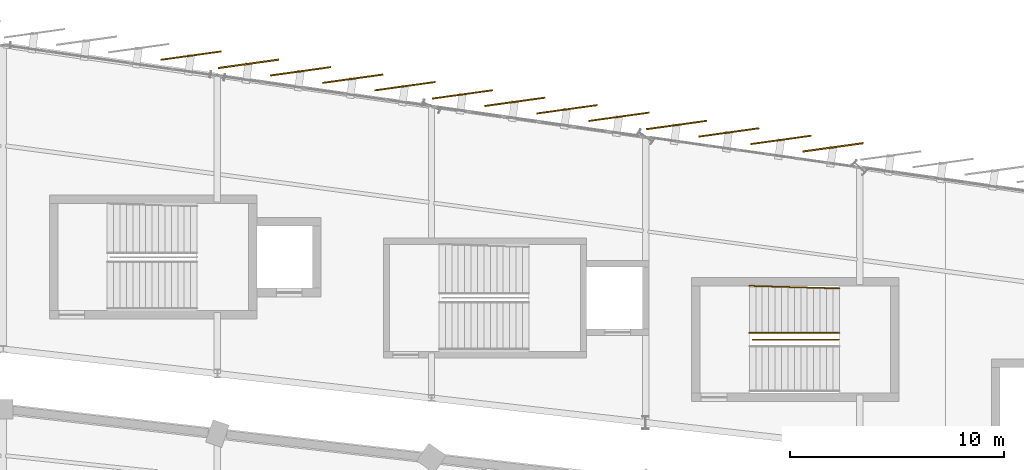
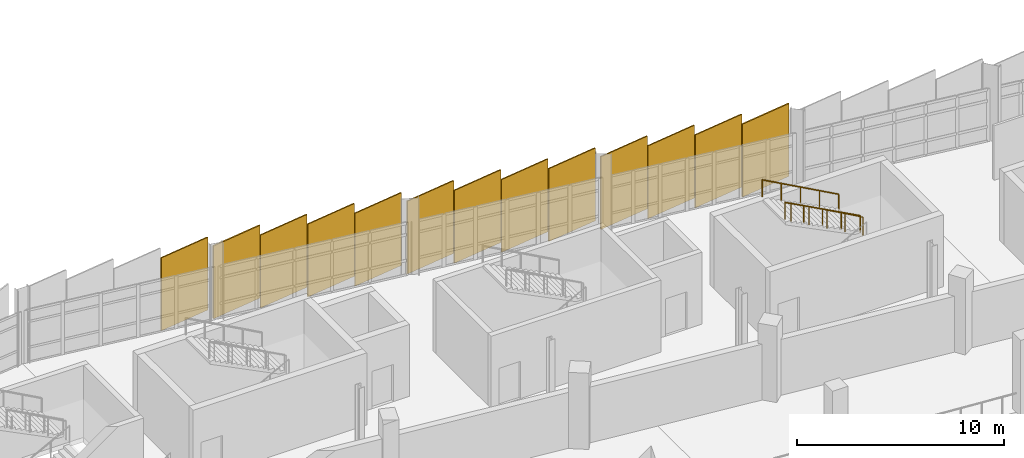
# One storey, part 129 of 134: 13 coverings, 3 railings.
"""IFC4 building model written with IfcOpenShell, lengths in metres."""

from ifc_helpers import new_model, si_unit, direction, frame, origin, origin_2d, place, context, subcontext, project, spatial, rectangle, circle, extrude, material, layer, layer_set, type_object, element, save


model = new_model("IFC4")

# Units and contexts
model_context = context("Model", 3, precision=1e-05, world=origin(), true_north=direction((0.0, 1.0)))
body_context = subcontext(model_context, "Body", "Model", "MODEL_VIEW")
ifc_project = project(units=[si_unit("LENGTHUNIT", "METRE"), si_unit("AREAUNIT", "SQUARE_METRE"), si_unit("VOLUMEUNIT", "CUBIC_METRE"), si_unit("PLANEANGLEUNIT", "RADIAN"), si_unit("MASSUNIT", "GRAM", prefix="KILO")], contexts=[model_context])

# Site, building, storey
site_placement = place(None, origin())
site = spatial("IfcSite", under=ifc_project, at=site_placement, CompositionType="ELEMENT")
building_placement = place(site_placement, origin())
building = spatial("IfcBuilding", under=site, at=building_placement, Name="Sohan Crest Arena", CompositionType="ELEMENT")
storey_placement = place(building_placement, frame((0.0, 0.0, 4.5)))
storey = spatial("IfcBuildingStorey", under=building, at=storey_placement, Name="L01", CompositionType="ELEMENT", Elevation=4.5)

# Railings
ifc_material_1 = material(Name="Powder-coated wrought steel balustrade", Category="steel")
railing_type_1 = type_object("IfcRailingType", Name="ARC-GRD-01", PredefinedType="GUARDRAIL", material=ifc_material_1)
railing_1_placement = place(storey_placement, frame((137.030029296875, 112.25, 2.25)))
element("IfcRailing", 1, at=railing_1_placement, inside=storey, type_object=railing_type_1, Name="Stair well slot guard GRD-119", PredefinedType="GUARDRAIL", context=body_context, shape_type="SweptSolid", body=[
    extrude(circle(Radius=0.02392578125, at=origin_2d()), frame((0.0, 0.0, 1.076171875), z_axis=(-0.87313487534, 0.0, 0.487478706678), x_axis=(0.0, -1.0, 0.0)), (0.0, 0.0, 1.0), 4.615478515625),
    extrude(circle(Radius=0.02099609375, at=origin_2d()), origin(), (0.0, 0.0, 1.0), 1.052001953125),
    extrude(circle(Radius=0.02099609375, at=origin_2d()), frame((-1.007568359375, 0.0, 0.5625)), (0.0, 0.0, 1.0), 1.052001953125),
    extrude(circle(Radius=0.02099609375, at=origin_2d()), frame((-2.01513671875, 0.0, 1.125)), (0.0, 0.0, 1.0), 1.052001953125),
    extrude(circle(Radius=0.02099609375, at=origin_2d()), frame((-3.0224609375, 0.0, 1.6875)), (0.0, 0.0, 1.0), 1.052001953125),
    extrude(circle(Radius=0.02099609375, at=origin_2d()), frame((-4.030029296875, 0.0, 2.25)), (0.0, 0.0, 1.0), 1.052001953125),
])
ifc_material_2 = material(Name="Brushed stainless steel stair handrail", Category="steel")
railing_type_2 = type_object("IfcRailingType", Name="ARC-HR-01", PredefinedType="HANDRAIL", material=ifc_material_2)
railing_2_placement = place(storey_placement, frame((137.050048828125, 112.56005859375, 2.25)))
element("IfcRailing", 2, at=railing_2_placement, inside=storey, type_object=railing_type_2, Name="Stair pitch handrail HR-391", PredefinedType="HANDRAIL", context=body_context, shape_type="SweptSolid", body=[
    extrude(circle(Radius=0.02392578125, at=origin_2d()), frame((0.0, 0.0, 0.97607421875), z_axis=(-0.881477684796, 0.0, 0.472225678258), x_axis=(0.0, -1.0, 0.0)), (0.0, 0.0, 1.0), 4.7646484375),
    extrude(circle(Radius=0.02099609375, at=origin_2d()), origin(), (0.0, 0.0, 1.0), 0.951904296875),
    extrude(circle(Radius=0.02099609375, at=origin_2d()), frame((-1.050048828125, 0.0, 0.5625)), (0.0, 0.0, 1.0), 0.951904296875),
    extrude(circle(Radius=0.02099609375, at=origin_2d()), frame((-2.10009765625, 0.0, 1.125)), (0.0, 0.0, 1.0), 0.951904296875),
    extrude(circle(Radius=0.02099609375, at=origin_2d()), frame((-3.14990234375, 0.0, 1.6875)), (0.0, 0.0, 1.0), 0.951904296875),
    extrude(circle(Radius=0.02099609375, at=origin_2d()), frame((-4.199951171875, 0.0, 2.25)), (0.0, 0.0, 1.0), 0.951904296875),
])
railing_3_placement = place(storey_placement, frame((137.050048828125, 114.639892578125, 2.25)))
element("IfcRailing", 3, at=railing_3_placement, inside=storey, type_object=railing_type_2, Name="Stair pitch handrail HR-392", PredefinedType="HANDRAIL", context=body_context, shape_type="SweptSolid", body=[
    extrude(circle(Radius=0.02392578125, at=origin_2d()), frame((0.0, 0.0, 0.97607421875), z_axis=(-0.881197710057, 0.025201957411, 0.472075690047), x_axis=(-0.028587973606, -0.999591280357, 0.0)), (0.0, 0.0, 1.0), 4.76611328125),
    extrude(circle(Radius=0.02099609375, at=origin_2d()), origin(), (0.0, 0.0, 1.0), 0.951904296875),
    extrude(circle(Radius=0.02099609375, at=origin_2d()), frame((-1.050048828125, 0.030029296875, 0.5625)), (0.0, 0.0, 1.0), 0.951904296875),
    extrude(circle(Radius=0.02099609375, at=origin_2d()), frame((-2.10009765625, 0.06005859375, 1.125)), (0.0, 0.0, 1.0), 0.951904296875),
    extrude(circle(Radius=0.02099609375, at=origin_2d()), frame((-3.14990234375, 0.090087890625, 1.6875)), (0.0, 0.0, 1.0), 0.951904296875),
    extrude(circle(Radius=0.02099609375, at=origin_2d()), frame((-4.199951171875, 0.1201171875, 2.25)), (0.0, 0.0, 1.0), 0.951904296875),
])

# Coverings
ifc_material_3 = material(Name="Glazed ivory trencadis ceramic cladding", Category="masonry")
ifc_layer_1 = layer(ifc_material_3, 0.06494140625, Name="Glazed ivory trencadis ceramic cladding")
ifc_layer_set_1 = layer_set([ifc_layer_1], Name="Glazed ivory trencadis ceramic cladding")
covering_type_1 = type_object("IfcCoveringType", Name="COV-SC-IV", PredefinedType="CLADDING", material=ifc_layer_set_1)
for number, where, z_axis, x_axis, name in (
    (4, (134.324951171875, 121.577880859375, -0.2001953125), (0.0, 0.0, 1.0), (-0.990509463238, -0.137444546037, 0.0), "Rotated trencadis ceramic scale panel SC-0116"),
    (5, (131.889892578125, 121.926025390625, -0.2001953125), (0.0, 0.0, 1.0), (-0.990509463238, -0.137444546037, 0.0), "Rotated trencadis ceramic scale panel SC-0117"),
    (6, (129.4541015625, 122.27392578125, -0.2001953125), (0.0, 0.0, 1.0), (-0.990509463238, -0.137444546037, 0.0), "Rotated trencadis ceramic scale panel SC-0118"),
    (7, (126.760986328125, 122.657958984375, -0.2001953125), (0.0, 0.0, 1.0), (-0.990509463238, -0.137444546037, 0.0), "Rotated trencadis ceramic scale panel SC-0119"),
    (8, (124.324951171875, 123.007080078125, -0.2001953125), (0.0, 0.0, 1.0), (-0.990509463238, -0.137444546037, 0.0), "Rotated trencadis ceramic scale panel SC-0120"),
    (9, (121.889892578125, 123.35498046875, -0.2001953125), (0.0, 0.0, 1.0), (-0.990509463238, -0.137444546037, 0.0), "Rotated trencadis ceramic scale panel SC-0121"),
    (10, (119.4541015625, 123.702880859375, -0.2001953125), (0.0, 0.0, 1.0), (-0.990509463238, -0.137444546037, 0.0), "Rotated trencadis ceramic scale panel SC-0122"),
    (11, (116.760986328125, 124.0869140625, -0.2001953125), (0.0, 0.0, 1.0), (-0.990509463238, -0.137444546037, 0.0), "Rotated trencadis ceramic scale panel SC-0123"),
    (12, (114.324951171875, 124.43505859375, -0.2001953125), (0.0, 0.0, 1.0), (-0.990509463238, -0.137444546037, 0.0), "Rotated trencadis ceramic scale panel SC-0124"),
    (13, (111.889892578125, 124.782958984375, -0.2001953125), (0.0, 0.0, 1.0), (-0.990509463238, -0.137444546037, 0.0), "Rotated trencadis ceramic scale panel SC-0125"),
    (14, (106.760986328125, 125.514892578125, -0.2001953125), (0.0, 0.0, 1.0), (-0.990509463238, -0.137444546037, 0.0), "Rotated trencadis ceramic scale panel SC-0127"),
):
    element("IfcCovering", number, at=place(storey_placement, frame(where, z_axis=z_axis, x_axis=x_axis)), inside=storey, type_object=covering_type_1, Name=name, PredefinedType="CLADDING", context=body_context, shape_type="SweptSolid", body=[
        extrude(rectangle(XDim=2.85009765625, YDim=0.06494140625, at=origin_2d()), origin(), (0.0, 0.0, 1.0), 4.300048828125),
    ])
ifc_material_4 = material(Name="Glazed terracotta trencadis ceramic cladding", Category="masonry")
ifc_layer_2 = layer(ifc_material_4, 0.074951171875, Name="Glazed terracotta trencadis ceramic cladding")
ifc_layer_set_2 = layer_set([ifc_layer_2], Name="Glazed terracotta trencadis ceramic cladding")
covering_type_2 = type_object("IfcCoveringType", Name="COV-SC-TC", PredefinedType="CLADDING", material=ifc_layer_set_2)
for number, where, z_axis, x_axis, name in (
    (15, (136.760986328125, 121.22998046875, -0.2001953125), (0.0, 0.0, 1.0), (-0.990509463238, -0.137444546037, 0.0), "Rotated trencadis ceramic scale panel SC-0115"),
    (16, (109.4541015625, 125.131103515625, -0.2001953125), (0.0, 0.0, 1.0), (-0.990509463238, -0.137444546037, 0.0), "Rotated trencadis ceramic scale panel SC-0126"),
):
    element("IfcCovering", number, at=place(storey_placement, frame(where, z_axis=z_axis, x_axis=x_axis)), inside=storey, type_object=covering_type_2, Name=name, PredefinedType="CLADDING", context=body_context, shape_type="SweptSolid", body=[
        extrude(rectangle(XDim=2.85009765625, YDim=0.074951171875, at=origin_2d()), origin(), (0.0, 0.0, 1.0), 4.300048828125),
    ])

save(model, "model.ifc")
